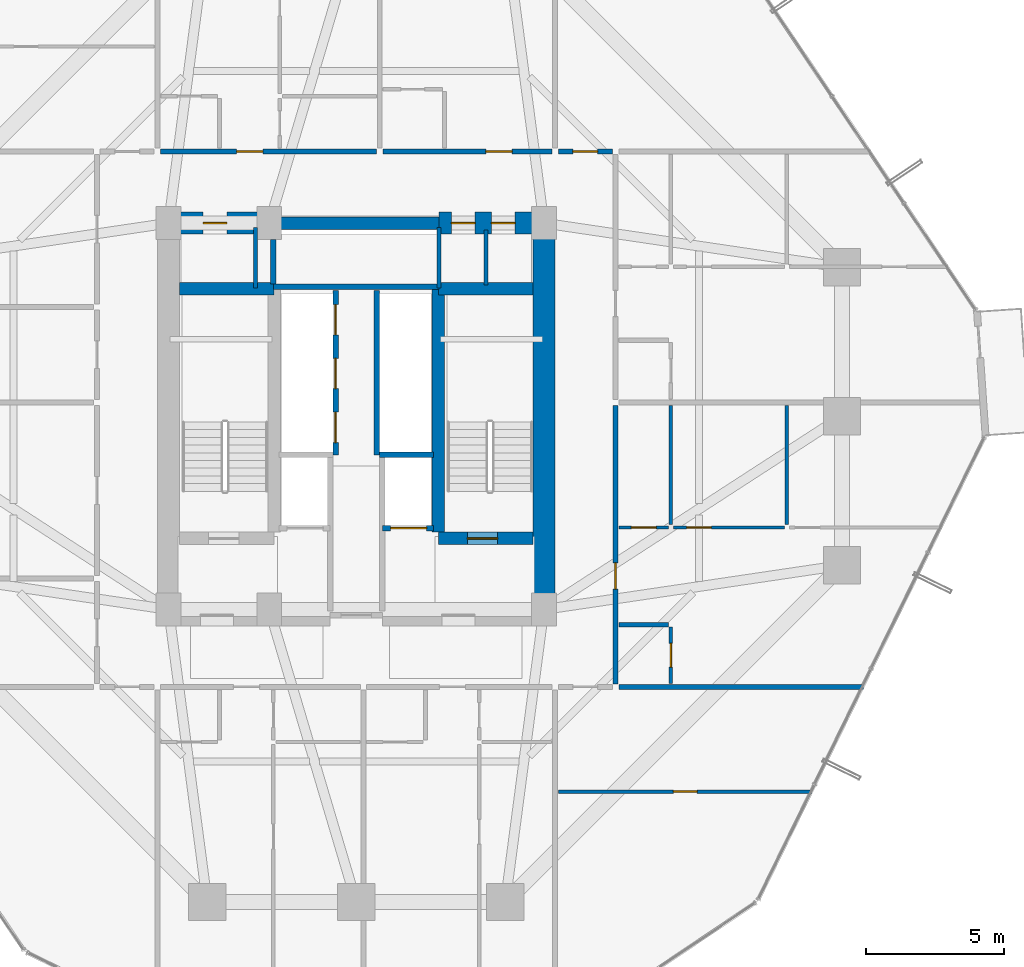
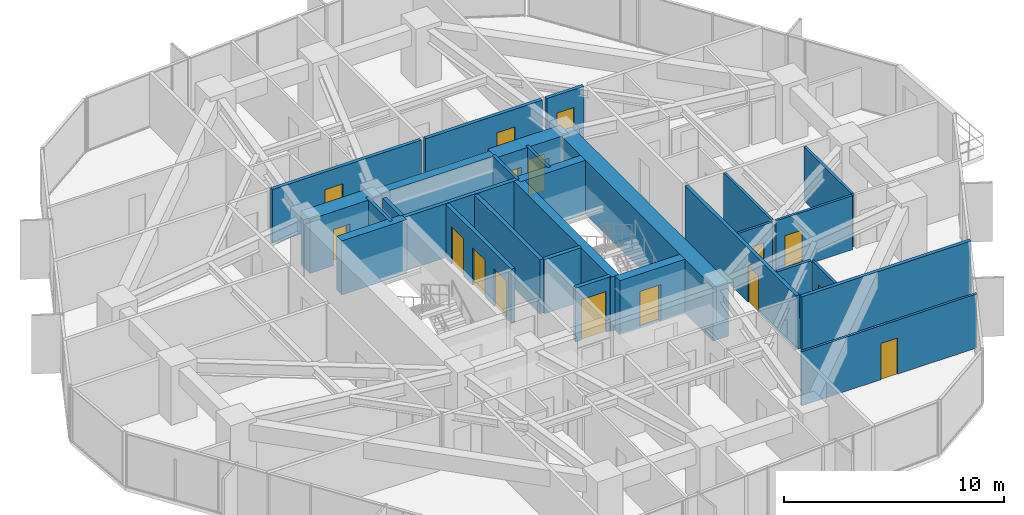
# One storey, part 34 of 37: 29 walls, 16 doors, 16 openings.
"""IFC4 building model written with IfcOpenShell, lengths in metres."""

from ifc_helpers import new_model, si_unit, direction, frame, frame_2d, origin, place, context, subcontext, project, spatial, rectangle, extrude, source, transform, mapped, material, layer, layer_set, type_object, element, fill, save


model = new_model("IFC4")

# Units and contexts
model_context = context("Model", 3, precision=1e-05, world=origin(), true_north=direction((0.0, 1.0)))
body_context = subcontext(model_context, "Body", "Model", "MODEL_VIEW")
ifc_project = project(units=[si_unit("LENGTHUNIT", "METRE"), si_unit("AREAUNIT", "SQUARE_METRE"), si_unit("VOLUMEUNIT", "CUBIC_METRE"), si_unit("PLANEANGLEUNIT", "RADIAN"), si_unit("MASSUNIT", "GRAM", prefix="KILO")], contexts=[model_context])

# Site, building, storey
site_placement = place(None, origin())
site = spatial("IfcSite", under=ifc_project, at=site_placement, CompositionType="ELEMENT")
building_placement = place(site_placement, origin())
building = spatial("IfcBuilding", under=site, at=building_placement, Name="Veraguas Prism Commons", CompositionType="ELEMENT")
storey_placement = place(building_placement, frame((0.0, 0.0, 37.050048828125)))
storey = spatial("IfcBuildingStorey", under=building, at=storey_placement, Name="L09", CompositionType="ELEMENT", Elevation=37.050048828125)

# Wall
ifc_material_1 = material(Name="Concrete C60/75", Category="concrete")
ifc_layer_1 = layer(ifc_material_1, 0.449951171875, Name="Core Internal Shear Wall Lower RC 450", Category="concrete")
ifc_layer_set_1 = layer_set([ifc_layer_1], Name="Concrete C60/75")
wall_type_1 = type_object("IfcWallType", Name="Core Internal Shear Wall Lower RC 450", PredefinedType="SHEAR", material=ifc_layer_set_1)
wall_1_placement = place(storey_placement, frame((21.0, 31.0, 0.0), z_axis=(0.0, 0.0, 1.0), x_axis=(1.0, 0.0, 0.0)))
element("IfcWall", 1, at=wall_1_placement, inside=storey, type_object=wall_type_1, Name="High-Rise Lift Bank Front Shear Wall L09", PredefinedType="SHEAR", context=body_context, shape_type="SweptSolid", body=[
    extrude(rectangle(XDim=6.0, YDim=0.449951171875, at=frame_2d((3.0, 0.0))), origin(), (0.0, 0.0, 1.0), 3.0),
])

# Wall, opening, door
wall_2_placement = place(storey_placement, frame((26.97509765625, 19.574951171875, 0.0), z_axis=(0.0, 0.0, 1.0), x_axis=(1.0, 0.0, 0.0)))
wall_2 = element("IfcWall", 2, at=wall_2_placement, inside=storey, type_object=wall_type_1, Name="Stair ST-02 South Shear Wall L09", PredefinedType="SHEAR", context=body_context, shape_type="SweptSolid", body=[
    extrude(rectangle(XDim=3.4248046875, YDim=0.449951171875, at=frame_2d((1.71240234375, 0.0))), origin(), (0.0, 0.0, 1.0), 3.0),
])
opening_1_placement = place(wall_2_placement, frame((1.050048828125, 0.0, 0.0)))
opening_1 = element("IfcOpeningElement", 3, at=opening_1_placement, cuts=wall_2, Name="Opening DR-05", PredefinedType="OPENING", context=body_context, shape_type="SweptSolid", body=[
    extrude(rectangle(XDim=1.10009765625, YDim=2.030029296875, at=frame_2d((0.550048828125, 1.01513671875))), frame((0.0, 0.23486328125, 0.0), z_axis=(0.0, -1.0, 0.0), x_axis=(1.0, 0.0, 0.0)), (0.0, 0.0, 1.0), 0.469970703125),
])
ifc_material_2 = material(Name="Steel fire-rated door assembly", Category="steel")
door_type_1 = type_object("IfcDoorType", Name="Protected Stair and Refuge Fire Door 1100x2030", OperationType="NOTDEFINED", PredefinedType="DOOR", material=ifc_material_2)
shared_shape_1 = source(origin(), body_context, "Body", "SweptSolid", [
    extrude(rectangle(XDim=1.10009765625, YDim=2.030029296875, at=frame_2d((0.550048828125, 1.01513671875))), frame((0.0, 0.02490234375, 0.0), z_axis=(0.0, -1.0, 0.0), x_axis=(1.0, 0.0, 0.0)), (0.0, 0.0, 1.0), 0.050048828125),
])
door_1_placement = place(opening_1_placement, origin())
door_1 = element("IfcDoor", 4, at=door_1_placement, inside=storey, type_object=door_type_1, Name="Stair ST-02 Enclosure Door L09", OperationType="SINGLE_SWING_RIGHT", OverallHeight=2.030029296875, OverallWidth=1.10009765625, PredefinedType="DOOR", context=body_context, shape_type="MappedRepresentation", body=[
    mapped(shared_shape_1, transform((0.0, 0.0, 0.0), scale=1.0)),
])
fill(opening_1, door_1)

# Walls
wall_3_placement = place(storey_placement, frame((26.97509765625, 19.800048828125, 0.0), z_axis=(0.0, 0.0, 1.0), x_axis=(0.0, 1.0, 0.0)))
element("IfcWall", 5, at=wall_3_placement, inside=storey, type_object=wall_type_1, Name="Stair ST-02 Inner Shear Wall L09", PredefinedType="SHEAR", context=body_context, shape_type="SweptSolid", body=[
    extrude(rectangle(XDim=8.824951171875, YDim=0.449951171875, at=frame_2d((4.41259765625, 0.0))), origin(), (0.0, 0.0, 1.0), 3.0),
])
for number, where, z_axis, x_axis, name in (
    (6, (17.60009765625, 28.625, 0.0), (0.0, 0.0, 1.0), (1.0, 0.0, 0.0), "Stair ST-01 North Shear Wall L09"),
    (7, (26.97509765625, 28.625, 0.0), (0.0, 0.0, 1.0), (1.0, 0.0, 0.0), "Stair ST-02 North Shear Wall L09"),
):
    element("IfcWall", number, at=place(storey_placement, frame(where, z_axis=z_axis, x_axis=x_axis)), inside=storey, type_object=wall_type_1, Name=name, PredefinedType="SHEAR", context=body_context, shape_type="SweptSolid", body=[
        extrude(rectangle(XDim=3.4248046875, YDim=0.449951171875, at=frame_2d((1.71240234375, 0.0))), origin(), (0.0, 0.0, 1.0), 3.0),
    ])
ifc_layer_2 = layer(ifc_material_1, 0.800048828125, Name="Core Outer Shear Wall Lower RC 800", Category="concrete")
ifc_layer_set_2 = layer_set([ifc_layer_2], Name="Concrete C60/75")
wall_type_2 = type_object("IfcWallType", Name="Core Outer Shear Wall Lower RC 800", PredefinedType="SHEAR", material=ifc_layer_set_2)
wall_4_placement = place(storey_placement, frame((30.800048828125, 16.800048828125, 0.0), z_axis=(0.0, 0.0, 1.0), x_axis=(0.0, 1.0, 0.0)))
element("IfcWall", 8, at=wall_4_placement, inside=storey, type_object=wall_type_2, Name="Central Core East Shear Wall L09", PredefinedType="SHEAR", context=body_context, shape_type="SweptSolid", body=[
    extrude(rectangle(XDim=14.199951171875, YDim=0.800048828125, at=frame_2d((7.10009765625, 0.0))), origin(), (0.0, 0.0, 1.0), 3.0),
])

# Wall, opening, door
wall_5_placement = place(storey_placement, frame((17.199951171875, 31.0, 0.0), z_axis=(0.0, 0.0, 1.0), x_axis=(1.0, 0.0, 0.0)))
wall_5 = element("IfcWall", 9, at=wall_5_placement, inside=storey, type_object=wall_type_2, Name="Central Core North-West Shear Wall L09", PredefinedType="SHEAR", context=body_context, shape_type="SweptSolid", body=[
    extrude(rectangle(XDim=3.800048828125, YDim=0.800048828125, at=frame_2d((1.89990234375, 0.0))), origin(), (0.0, 0.0, 1.0), 3.0),
])
opening_2_placement = place(wall_5_placement, frame((1.25, 0.0, 0.0)))
opening_2 = element("IfcOpeningElement", 10, at=opening_2_placement, cuts=wall_5, Name="Opening DR-12", PredefinedType="OPENING", context=body_context, shape_type="SweptSolid", body=[
    extrude(rectangle(XDim=0.860107421875, YDim=2.010009765625, at=frame_2d((0.43017578125, 1.0048828125))), frame((0.0, 0.409912109375, 0.0), z_axis=(0.0, -1.0, 0.0), x_axis=(1.0, 0.0, 0.0)), (0.0, 0.0, 1.0), 0.820068359375),
])
door_type_2 = type_object("IfcDoorType", Name="Core WC Fire Door 860x2010", OperationType="NOTDEFINED", PredefinedType="DOOR", material=ifc_material_2)
shared_shape_2 = source(origin(), body_context, "Body", "SweptSolid", [
    extrude(rectangle(XDim=0.860107421875, YDim=2.010009765625, at=frame_2d((0.43017578125, 1.0048828125))), frame((0.0, 0.02490234375, 0.0), z_axis=(0.0, -1.0, 0.0), x_axis=(1.0, 0.0, 0.0)), (0.0, 0.0, 1.0), 0.050048828125),
])
door_2_placement = place(opening_2_placement, origin())
door_2 = element("IfcDoor", 11, at=door_2_placement, inside=storey, type_object=door_type_2, Name="Core NW Service Door L09", OperationType="SINGLE_SWING_RIGHT", OverallHeight=2.010009765625, OverallWidth=0.860107421875, PredefinedType="DOOR", context=body_context, shape_type="MappedRepresentation", body=[
    mapped(shared_shape_2, transform((0.0, 0.0, 0.0), scale=1.0)),
])
fill(opening_2, door_2)

# Wall, openings, doors
wall_6_placement = place(storey_placement, frame((27.0, 31.0, 0.0), z_axis=(0.0, 0.0, 1.0), x_axis=(1.0, 0.0, 0.0)))
wall_6 = element("IfcWall", 12, at=wall_6_placement, inside=storey, type_object=wall_type_2, Name="Central Core North-East Shear Wall L09", PredefinedType="SHEAR", context=body_context, shape_type="SweptSolid", body=[
    extrude(rectangle(XDim=3.800048828125, YDim=0.800048828125, at=frame_2d((1.89990234375, 0.0))), origin(), (0.0, 0.0, 1.0), 3.0),
])
opening_3_placement = place(wall_6_placement, frame((0.449951171875, 0.0, 0.0)))
opening_3 = element("IfcOpeningElement", 13, at=opening_3_placement, cuts=wall_6, Name="Opening DR-12", PredefinedType="OPENING", context=body_context, shape_type="SweptSolid", body=[
    extrude(rectangle(XDim=0.860107421875, YDim=2.010009765625, at=frame_2d((0.43017578125, 1.0048828125))), frame((0.0, 0.409912109375, 0.0), z_axis=(0.0, -1.0, 0.0), x_axis=(1.0, 0.0, 0.0)), (0.0, 0.0, 1.0), 0.820068359375),
])
opening_4_placement = place(wall_6_placement, frame((1.89990234375, 0.0, 0.0)))
opening_4 = element("IfcOpeningElement", 14, at=opening_4_placement, cuts=wall_6, Name="Opening DR-12", PredefinedType="OPENING", context=body_context, shape_type="SweptSolid", body=[
    extrude(rectangle(XDim=0.860107421875, YDim=2.010009765625, at=frame_2d((0.43017578125, 1.0048828125))), frame((0.0, 0.409912109375, 0.0), z_axis=(0.0, -1.0, 0.0), x_axis=(1.0, 0.0, 0.0)), (0.0, 0.0, 1.0), 0.820068359375),
])
door_3_placement = place(opening_3_placement, origin())
door_3 = element("IfcDoor", 15, at=door_3_placement, inside=storey, type_object=door_type_2, Name="Core NE Room A Door L09", OperationType="SINGLE_SWING_LEFT", OverallHeight=2.010009765625, OverallWidth=0.860107421875, PredefinedType="DOOR", context=body_context, shape_type="MappedRepresentation", body=[
    mapped(shared_shape_2, transform((0.0, 0.0, 0.0), scale=1.0)),
])
fill(opening_3, door_3)
door_4_placement = place(opening_4_placement, origin())
door_4 = element("IfcDoor", 16, at=door_4_placement, inside=storey, type_object=door_type_2, Name="Core NE Room B Door L09", OperationType="SINGLE_SWING_RIGHT", OverallHeight=2.010009765625, OverallWidth=0.860107421875, PredefinedType="DOOR", context=body_context, shape_type="MappedRepresentation", body=[
    mapped(shared_shape_2, transform((0.0, 0.0, 0.0), scale=1.0)),
])
fill(opening_4, door_4)

# Wall, opening, door
ifc_material_3 = material(Name="Autoclaved aerated masonry block 10 MPa", Category="masonry")
ifc_layer_3 = layer(ifc_material_3, 0.179931640625, Name="Corridor and Inter-Tenancy Partition 180", Category="masonry")
ifc_layer_set_3 = layer_set([ifc_layer_3], Name="Autoclaved aerated masonry block 10 MPa")
wall_type_3 = type_object("IfcWallType", Name="Corridor and Inter-Tenancy Partition 180", PredefinedType="PARTITIONING", material=ifc_layer_set_3)
wall_7_placement = place(storey_placement, frame((16.909912109375, 33.60009765625, 0.0), z_axis=(0.0, 0.0, 1.0), x_axis=(1.0, 0.0, 0.0)))
wall_7 = element("IfcWall", 17, at=wall_7_placement, inside=storey, type_object=wall_type_3, Name="WL-L09-PT018", PredefinedType="PARTITIONING", context=body_context, shape_type="SweptSolid", body=[
    extrude(rectangle(XDim=7.83203125, YDim=0.179931640625, at=frame_2d((3.916015625, 0.0))), origin(), (0.0, 0.0, 1.0), 3.0),
])
opening_5_placement = place(wall_7_placement, frame((2.75439453125, 0.0, 0.0)))
opening_5 = element("IfcOpeningElement", 18, at=opening_5_placement, cuts=wall_7, Name="Opening DR-01", PredefinedType="OPENING", context=body_context, shape_type="SweptSolid", body=[
    extrude(rectangle(XDim=0.949951171875, YDim=2.02001953125, at=frame_2d((0.47509765625, 1.010009765625))), frame((0.0, 0.099853515625, 0.0), z_axis=(0.0, -1.0, 0.0), x_axis=(1.0, 0.0, 0.0)), (0.0, 0.0, 1.0), 0.199951171875),
])
ifc_material_4 = material(Name="Anodised aluminium EN AW-6063 T6", Category="aluminium")
door_type_3 = type_object("IfcDoorType", Name="Apartment Entrance Fire Door 950x2020", OperationType="NOTDEFINED", PredefinedType="DOOR", material=ifc_material_4)
shared_shape_3 = source(origin(), body_context, "Body", "SweptSolid", [
    extrude(rectangle(XDim=0.949951171875, YDim=2.02001953125, at=frame_2d((0.47509765625, 1.010009765625))), frame((0.0, 0.02490234375, 0.0), z_axis=(0.0, -1.0, 0.0), x_axis=(1.0, 0.0, 0.0)), (0.0, 0.0, 1.0), 0.050048828125),
])
door_5_placement = place(opening_5_placement, origin())
door_5 = element("IfcDoor", 19, at=door_5_placement, inside=storey, type_object=door_type_3, Name="Flat 09C Entrance Door", OperationType="SINGLE_SWING_LEFT", OverallHeight=2.02001953125, OverallWidth=0.949951171875, PredefinedType="DOOR", context=body_context, shape_type="MappedRepresentation", body=[
    mapped(shared_shape_3, transform((0.0, 0.0, 0.0), scale=1.0)),
])
fill(opening_5, door_5)

wall_8_placement = place(storey_placement, frame((24.9619140625, 33.60009765625, 0.0), z_axis=(0.0, 0.0, 1.0), x_axis=(1.0, 0.0, 0.0)))
wall_8 = element("IfcWall", 20, at=wall_8_placement, inside=storey, type_object=wall_type_3, Name="WL-L09-PT025", PredefinedType="PARTITIONING", context=body_context, shape_type="SweptSolid", body=[
    extrude(rectangle(XDim=6.128173828125, YDim=0.179931640625, at=frame_2d((3.06396484375, 0.0))), origin(), (0.0, 0.0, 1.0), 3.0),
])
opening_6_placement = place(wall_8_placement, frame((3.735595703125, 0.0, 0.0)))
opening_6 = element("IfcOpeningElement", 21, at=opening_6_placement, cuts=wall_8, Name="Opening DR-01", PredefinedType="OPENING", context=body_context, shape_type="SweptSolid", body=[
    extrude(rectangle(XDim=0.949951171875, YDim=2.02001953125, at=frame_2d((0.47509765625, 1.010009765625))), frame((0.0, 0.099853515625, 0.0), z_axis=(0.0, -1.0, 0.0), x_axis=(1.0, 0.0, 0.0)), (0.0, 0.0, 1.0), 0.199951171875),
])
door_6_placement = place(opening_6_placement, origin())
door_6 = element("IfcDoor", 22, at=door_6_placement, inside=storey, type_object=door_type_3, Name="Studio 09D Entrance Door", OperationType="SINGLE_SWING_LEFT", OverallHeight=2.02001953125, OverallWidth=0.949951171875, PredefinedType="DOOR", context=body_context, shape_type="MappedRepresentation", body=[
    mapped(shared_shape_3, transform((0.0, 0.0, 0.0), scale=1.0)),
])
fill(opening_6, door_6)

# Wall
wall_9_placement = place(storey_placement, frame((33.52001953125, 14.199951171875, 0.0), z_axis=(0.0, 0.0, 1.0), x_axis=(1.0, 0.0, 0.0)))
element("IfcWall", 23, at=wall_9_placement, inside=storey, type_object=wall_type_3, Name="WL-L09-PT037", PredefinedType="PARTITIONING", context=body_context, shape_type="SweptSolid", body=[
    extrude(rectangle(XDim=8.857421875, YDim=0.179931640625, at=frame_2d((4.4287109375, 0.0))), origin(), (0.0, 0.0, 1.0), 3.0),
])

# Wall, opening, door
wall_10_placement = place(storey_placement, frame((33.39990234375, 14.31005859375, 0.0), z_axis=(0.0, 0.0, 1.0), x_axis=(0.0, 1.0, 0.0)))
wall_10 = element("IfcWall", 24, at=wall_10_placement, inside=storey, type_object=wall_type_3, Name="WL-L09-PT039", PredefinedType="PARTITIONING", context=body_context, shape_type="SweptSolid", body=[
    extrude(rectangle(XDim=10.087890625, YDim=0.179931640625, at=frame_2d((5.0439453125, 0.0))), origin(), (0.0, 0.0, 1.0), 3.0),
])
opening_7_placement = place(wall_10_placement, frame((3.426025390625, 0.0, 0.0)))
opening_7 = element("IfcOpeningElement", 25, at=opening_7_placement, cuts=wall_10, Name="Opening DR-01", PredefinedType="OPENING", context=body_context, shape_type="SweptSolid", body=[
    extrude(rectangle(XDim=0.949951171875, YDim=2.02001953125, at=frame_2d((0.47509765625, 1.010009765625))), frame((0.0, 0.099853515625, 0.0), z_axis=(0.0, -1.0, 0.0), x_axis=(1.0, 0.0, 0.0)), (0.0, 0.0, 1.0), 0.199951171875),
])
door_7_placement = place(opening_7_placement, origin())
door_7 = element("IfcDoor", 26, at=door_7_placement, inside=storey, type_object=door_type_3, Name="Flat 09E Entrance Door", OperationType="SINGLE_SWING_LEFT", OverallHeight=2.02001953125, OverallWidth=0.949951171875, PredefinedType="DOOR", context=body_context, shape_type="MappedRepresentation", body=[
    mapped(shared_shape_3, transform((0.0, 0.0, 0.0), scale=1.0)),
])
fill(opening_7, door_7)

wall_11_placement = place(storey_placement, frame((31.320068359375, 33.60009765625, 0.0), z_axis=(0.0, 0.0, 1.0), x_axis=(1.0, 0.0, 0.0)))
wall_11 = element("IfcWall", 27, at=wall_11_placement, inside=storey, type_object=wall_type_3, Name="WL-L09-PT061", PredefinedType="PARTITIONING", context=body_context, shape_type="SweptSolid", body=[
    extrude(rectangle(XDim=1.9599609375, YDim=0.179931640625, at=frame_2d((0.97998046875, 0.0))), origin(), (0.0, 0.0, 1.0), 3.0),
])
opening_8_placement = place(wall_11_placement, frame((0.530029296875, 0.0, 0.0)))
opening_8 = element("IfcOpeningElement", 28, at=opening_8_placement, cuts=wall_11, Name="Opening DR-14", PredefinedType="OPENING", context=body_context, shape_type="SweptSolid", body=[
    extrude(rectangle(XDim=0.89990234375, YDim=2.010009765625, at=frame_2d((0.449951171875, 1.0048828125))), frame((0.0, 0.099853515625, 0.0), z_axis=(0.0, -1.0, 0.0), x_axis=(1.0, 0.0, 0.0)), (0.0, 0.0, 1.0), 0.199951171875),
])
door_type_4 = type_object("IfcDoorType", Name="Core Service Room Fire Door 900x2010", OperationType="NOTDEFINED", PredefinedType="DOOR", material=ifc_material_2)
shared_shape_4 = source(origin(), body_context, "Body", "SweptSolid", [
    extrude(rectangle(XDim=0.89990234375, YDim=2.010009765625, at=frame_2d((0.449951171875, 1.0048828125))), frame((0.0, 0.02490234375, 0.0), z_axis=(0.0, -1.0, 0.0), x_axis=(1.0, 0.0, 0.0)), (0.0, 0.0, 1.0), 0.050048828125),
])
door_8_placement = place(opening_8_placement, origin())
door_8 = element("IfcDoor", 29, at=door_8_placement, inside=storey, type_object=door_type_4, Name="Residents Cycle and Pram Store NE Door", OperationType="SINGLE_SWING_RIGHT", OverallHeight=2.010009765625, OverallWidth=0.89990234375, PredefinedType="DOOR", context=body_context, shape_type="MappedRepresentation", body=[
    mapped(shared_shape_4, transform((0.0, 0.0, 0.0), scale=1.0)),
])
fill(opening_8, door_8)

ifc_material_5 = material(Name="Lightweight acoustic gypsum board")
ifc_layer_4 = layer(ifc_material_5, 0.125, Name="Internal Apartment Room Partition 125")
ifc_layer_set_4 = layer_set([ifc_layer_4], Name="Lightweight acoustic gypsum board")
wall_type_4 = type_object("IfcWallType", Name="Internal Apartment Room Partition 125", PredefinedType="PARTITIONING", material=ifc_layer_set_4)
wall_12_placement = place(storey_placement, frame((35.39990234375, 14.320068359375, 0.0), z_axis=(0.0, 0.0, 1.0), x_axis=(0.0, 1.0, 0.0)))
wall_12 = element("IfcWall", 30, at=wall_12_placement, inside=storey, type_object=wall_type_4, Name="WL-L09-PT041", PredefinedType="PARTITIONING", context=body_context, shape_type="SweptSolid", body=[
    extrude(rectangle(XDim=2.050048828125, YDim=0.125, at=frame_2d((1.02490234375, 0.0))), origin(), (0.0, 0.0, 1.0), 3.0),
])
opening_9_placement = place(wall_12_placement, frame((0.594970703125, 0.0, 0.0)))
opening_9 = element("IfcOpeningElement", 31, at=opening_9_placement, cuts=wall_12, Name="Opening DR-03", PredefinedType="OPENING", context=body_context, shape_type="SweptSolid", body=[
    extrude(rectangle(XDim=0.860107421875, YDim=2.010009765625, at=frame_2d((0.43017578125, 1.0048828125))), frame((0.0, 0.072509765625, 0.0), z_axis=(0.0, -1.0, 0.0), x_axis=(1.0, 0.0, 0.0)), (0.0, 0.0, 1.0), 0.14501953125),
])
ifc_material_6 = material(Name="Timber moisture-resistant leaf", Category="wood")
door_type_5 = type_object("IfcDoorType", Name="Internal Bathroom Door 860x2010", OperationType="NOTDEFINED", PredefinedType="DOOR", material=ifc_material_6)
door_9_placement = place(opening_9_placement, origin())
door_9 = element("IfcDoor", 32, at=door_9_placement, inside=storey, type_object=door_type_5, Name="Flat 09E Bathroom Door", OperationType="SINGLE_SWING_RIGHT", OverallHeight=2.010009765625, OverallWidth=0.860107421875, PredefinedType="DOOR", context=body_context, shape_type="MappedRepresentation", body=[
    mapped(shared_shape_2, transform((0.0, 0.0, 0.0), scale=1.0)),
])
fill(opening_9, door_9)

wall_13_placement = place(storey_placement, frame((33.52001953125, 19.971923828125, 0.0), z_axis=(0.0, 0.0, 1.0), x_axis=(1.0, 0.0, 0.0)))
wall_13 = element("IfcWall", 33, at=wall_13_placement, inside=storey, type_object=wall_type_4, Name="WL-L09-PT042", PredefinedType="PARTITIONING", context=body_context, shape_type="SweptSolid", body=[
    extrude(rectangle(XDim=1.800048828125, YDim=0.125, at=frame_2d((0.89990234375, 0.0))), origin(), (0.0, 0.0, 1.0), 3.0),
])
opening_10_placement = place(wall_13_placement, frame((0.449951171875, 0.0, 0.0)))
opening_10 = element("IfcOpeningElement", 34, at=opening_10_placement, cuts=wall_13, Name="Opening DR-02", PredefinedType="OPENING", context=body_context, shape_type="SweptSolid", body=[
    extrude(rectangle(XDim=0.89990234375, YDim=2.010009765625, at=frame_2d((0.449951171875, 1.0048828125))), frame((0.0, 0.072509765625, 0.0), z_axis=(0.0, -1.0, 0.0), x_axis=(1.0, 0.0, 0.0)), (0.0, 0.0, 1.0), 0.14501953125),
])
ifc_material_7 = material(Name="Timber solid core hardwood", Category="wood")
door_type_6 = type_object("IfcDoorType", Name="Internal Habitable Room Door 900x2010", OperationType="NOTDEFINED", PredefinedType="DOOR", material=ifc_material_7)
door_10_placement = place(opening_10_placement, origin())
door_10 = element("IfcDoor", 35, at=door_10_placement, inside=storey, type_object=door_type_6, Name="Flat 09E Kitchen Door", OperationType="SINGLE_SWING_LEFT", OverallHeight=2.010009765625, OverallWidth=0.89990234375, PredefinedType="DOOR", context=body_context, shape_type="MappedRepresentation", body=[
    mapped(shared_shape_4, transform((0.0, 0.0, 0.0), scale=1.0)),
])
fill(opening_10, door_10)

# Walls
for number, where, z_axis, x_axis, name in (
    (36, (35.39990234375, 20.072021484375, 0.0), (0.0, 0.0, 1.0), (0.0, 1.0, 0.0), "WL-L09-PT043"),
    (37, (39.60009765625, 20.072021484375, 0.0), (0.0, 0.0, 1.0), (0.0, 1.0, 0.0), "WL-L09-PT044"),
):
    element("IfcWall", number, at=place(storey_placement, frame(where, z_axis=z_axis, x_axis=x_axis)), inside=storey, type_object=wall_type_4, Name=name, PredefinedType="PARTITIONING", context=body_context, shape_type="SweptSolid", body=[
        extrude(rectangle(XDim=4.31591796875, YDim=0.125, at=frame_2d((2.157958984375, 0.0))), origin(), (0.0, 0.0, 1.0), 3.0),
    ])

# Wall, opening, door
wall_14_placement = place(storey_placement, frame((35.5, 19.971923828125, 0.0), z_axis=(0.0, 0.0, 1.0), x_axis=(1.0, 0.0, 0.0)))
wall_14 = element("IfcWall", 38, at=wall_14_placement, inside=storey, type_object=wall_type_4, Name="WL-L09-PT045", PredefinedType="PARTITIONING", context=body_context, shape_type="SweptSolid", body=[
    extrude(rectangle(XDim=4.02001953125, YDim=0.125, at=frame_2d((2.010009765625, 0.0))), origin(), (0.0, 0.0, 1.0), 3.0),
])
opening_11_placement = place(wall_14_placement, frame((0.471923828125, 0.0, 0.0)))
opening_11 = element("IfcOpeningElement", 39, at=opening_11_placement, cuts=wall_14, Name="Opening DR-02", PredefinedType="OPENING", context=body_context, shape_type="SweptSolid", body=[
    extrude(rectangle(XDim=0.89990234375, YDim=2.010009765625, at=frame_2d((0.449951171875, 1.0048828125))), frame((0.0, 0.072509765625, 0.0), z_axis=(0.0, -1.0, 0.0), x_axis=(1.0, 0.0, 0.0)), (0.0, 0.0, 1.0), 0.14501953125),
])
door_11_placement = place(opening_11_placement, origin())
door_11 = element("IfcDoor", 40, at=door_11_placement, inside=storey, type_object=door_type_6, Name="Flat 09E Bedroom 1 Door", OperationType="SINGLE_SWING_RIGHT", OverallHeight=2.010009765625, OverallWidth=0.89990234375, PredefinedType="DOOR", context=body_context, shape_type="MappedRepresentation", body=[
    mapped(shared_shape_4, transform((0.0, 0.0, 0.0), scale=1.0)),
])
fill(opening_11, door_11)

wall_15_placement = place(storey_placement, frame((31.320068359375, 10.39990234375, 0.0), z_axis=(0.0, 0.0, 1.0), x_axis=(1.0, 0.0, 0.0)))
wall_15 = element("IfcWall", 41, at=wall_15_placement, inside=storey, type_object=wall_type_4, Name="WL-L09-PT058", PredefinedType="PARTITIONING", context=body_context, shape_type="SweptSolid", body=[
    extrude(rectangle(XDim=9.197509765625, YDim=0.125, at=frame_2d((4.5986328125, 0.0))), origin(), (0.0, 0.0, 1.0), 3.0),
])
opening_12_placement = place(wall_15_placement, frame((4.168701171875, 0.0, 0.0)))
opening_12 = element("IfcOpeningElement", 42, at=opening_12_placement, cuts=wall_15, Name="Opening DR-03", PredefinedType="OPENING", context=body_context, shape_type="SweptSolid", body=[
    extrude(rectangle(XDim=0.860107421875, YDim=2.010009765625, at=frame_2d((0.43017578125, 1.0048828125))), frame((0.0, 0.072509765625, 0.0), z_axis=(0.0, -1.0, 0.0), x_axis=(1.0, 0.0, 0.0)), (0.0, 0.0, 1.0), 0.14501953125),
])
door_12_placement = place(opening_12_placement, origin())
door_12 = element("IfcDoor", 43, at=door_12_placement, inside=storey, type_object=door_type_5, Name="Corner Store SE Door", OperationType="SINGLE_SWING_LEFT", OverallHeight=2.010009765625, OverallWidth=0.860107421875, PredefinedType="DOOR", context=body_context, shape_type="MappedRepresentation", body=[
    mapped(shared_shape_2, transform((0.0, 0.0, 0.0), scale=1.0)),
])
fill(opening_12, door_12)

ifc_layer_5 = layer(ifc_material_3, 0.199951171875, Name="Rated Shaft and Lobby Block Wall 200", Category="masonry")
ifc_layer_set_5 = layer_set([ifc_layer_5], Name="Autoclaved aerated masonry block 10 MPa")
wall_type_5 = type_object("IfcWallType", Name="Rated Shaft and Lobby Block Wall 200", PredefinedType="SOLIDWALL", material=ifc_layer_set_5)
wall_16_placement = place(storey_placement, frame((24.949951171875, 19.949951171875, 0.0), z_axis=(0.0, 0.0, 1.0), x_axis=(1.0, 0.0, 0.0)))
wall_16 = element("IfcWall", 44, at=wall_16_placement, inside=storey, type_object=wall_type_5, Name="Firefighting Lift FFL-2 Front Wall L09", PredefinedType="SOLIDWALL", context=body_context, shape_type="SweptSolid", body=[
    extrude(rectangle(XDim=1.85009765625, YDim=0.199951171875, at=frame_2d((0.925048828125, 0.0))), origin(), (0.0, 0.0, 1.0), 3.0),
])
opening_13_placement = place(wall_16_placement, frame((0.300048828125, 0.0, 0.0)))
opening_13 = element("IfcOpeningElement", 45, at=opening_13_placement, cuts=wall_16, Name="Opening LD-02", PredefinedType="OPENING", context=body_context, shape_type="SweptSolid", body=[
    extrude(rectangle(XDim=1.300048828125, YDim=2.25, at=frame_2d((0.64990234375, 1.125))), frame((0.0, 0.10986328125, 0.0), z_axis=(0.0, -1.0, 0.0), x_axis=(1.0, 0.0, 0.0)), (0.0, 0.0, 1.0), 0.219970703125),
])
ifc_material_8 = material(Name="Stainless steel AISI 316", Category="steel")
door_type_7 = type_object("IfcDoorType", Name="Firefighting Lift Sliding Landing Door 1300x2250", OperationType="NOTDEFINED", PredefinedType="DOOR", material=ifc_material_8)
shared_shape_5 = source(origin(), body_context, "Body", "SweptSolid", [
    extrude(rectangle(XDim=1.300048828125, YDim=2.25, at=frame_2d((0.64990234375, 1.125))), frame((0.0, 0.02490234375, 0.0), z_axis=(0.0, -1.0, 0.0), x_axis=(1.0, 0.0, 0.0)), (0.0, 0.0, 1.0), 0.050048828125),
])
door_13_placement = place(opening_13_placement, origin())
door_13 = element("IfcDoor", 46, at=door_13_placement, inside=storey, type_object=door_type_7, Name="Firefighting Lift FFL-2 Front Wall L09", OperationType="SLIDING_TO_LEFT", OverallHeight=2.25, OverallWidth=1.300048828125, PredefinedType="DOOR", context=body_context, shape_type="MappedRepresentation", body=[
    mapped(shared_shape_5, transform((0.0, 0.0, 0.0), scale=1.0)),
])
fill(opening_13, door_13)

# Walls
wall_17_placement = place(storey_placement, frame((24.85009765625, 22.60009765625, 0.0), z_axis=(0.0, 0.0, 1.0), x_axis=(1.0, 0.0, 0.0)))
element("IfcWall", 47, at=wall_17_placement, inside=storey, type_object=wall_type_5, Name="Firefighting Lift FFL-2 Rear Wall L09", PredefinedType="SOLIDWALL", context=body_context, shape_type="SweptSolid", body=[
    extrude(rectangle(XDim=1.949951171875, YDim=0.199951171875, at=frame_2d((0.97509765625, 0.0))), origin(), (0.0, 0.0, 1.0), 3.0),
])
wall_18_placement = place(storey_placement, frame((21.0, 28.699951171875, 0.0), z_axis=(0.0, 0.0, 1.0), x_axis=(1.0, 0.0, 0.0)))
element("IfcWall", 48, at=wall_18_placement, inside=storey, type_object=wall_type_5, Name="High-Rise Lift Bank Rear Shaft Wall L09", PredefinedType="SOLIDWALL", context=body_context, shape_type="SweptSolid", body=[
    extrude(rectangle(XDim=6.0, YDim=0.199951171875, at=frame_2d((3.0, 0.0))), origin(), (0.0, 0.0, 1.0), 3.0),
])
wall_19_placement = place(storey_placement, frame((21.0, 28.800048828125, 0.0), z_axis=(0.0, 0.0, 1.0), x_axis=(0.0, 1.0, 0.0)))
element("IfcWall", 49, at=wall_19_placement, inside=storey, type_object=wall_type_5, Name="High-Rise Lift Bank West Shaft Wall L09", PredefinedType="SOLIDWALL", context=body_context, shape_type="SweptSolid", body=[
    extrude(rectangle(XDim=1.599853515625, YDim=0.199951171875, at=frame_2d((0.7998046875, 0.0))), origin(), (0.0, 0.0, 1.0), 3.0),
])

# Wall, openings, doors
wall_20_placement = place(storey_placement, frame((23.25, 22.60009765625, 0.0), z_axis=(0.0, 0.0, 1.0), x_axis=(0.0, 1.0, 0.0)))
wall_20 = element("IfcWall", 50, at=wall_20_placement, inside=storey, type_object=wall_type_5, Name="Low-Rise Lift Bank Front Wall L09", PredefinedType="SOLIDWALL", context=body_context, shape_type="SweptSolid", body=[
    extrude(rectangle(XDim=5.949951171875, YDim=0.199951171875, at=frame_2d((2.97509765625, 0.0))), origin(), (0.0, 0.0, 1.0), 3.0),
])
opening_14_placement = place(wall_20_placement, frame((0.449951171875, 0.0, 0.0)))
opening_14 = element("IfcOpeningElement", 51, at=opening_14_placement, cuts=wall_20, Name="Opening LD-01", PredefinedType="OPENING", context=body_context, shape_type="SweptSolid", body=[
    extrude(rectangle(XDim=1.10009765625, YDim=2.080078125, at=frame_2d((0.550048828125, 1.0400390625))), frame((0.0, 0.10986328125, 0.0), z_axis=(0.0, -1.0, 0.0), x_axis=(1.0, 0.0, 0.0)), (0.0, 0.0, 1.0), 0.219970703125),
])
opening_15_placement = place(wall_20_placement, frame((2.39990234375, 0.0, 0.0)))
opening_15 = element("IfcOpeningElement", 52, at=opening_15_placement, cuts=wall_20, Name="Opening LD-01", PredefinedType="OPENING", context=body_context, shape_type="SweptSolid", body=[
    extrude(rectangle(XDim=1.10009765625, YDim=2.080078125, at=frame_2d((0.550048828125, 1.0400390625))), frame((0.0, 0.10986328125, 0.0), z_axis=(0.0, -1.0, 0.0), x_axis=(1.0, 0.0, 0.0)), (0.0, 0.0, 1.0), 0.219970703125),
])
opening_16_placement = place(wall_20_placement, frame((4.35009765625, 0.0, 0.0)))
opening_16 = element("IfcOpeningElement", 53, at=opening_16_placement, cuts=wall_20, Name="Opening LD-01", PredefinedType="OPENING", context=body_context, shape_type="SweptSolid", body=[
    extrude(rectangle(XDim=1.10009765625, YDim=2.080078125, at=frame_2d((0.550048828125, 1.0400390625))), frame((0.0, 0.10986328125, 0.0), z_axis=(0.0, -1.0, 0.0), x_axis=(1.0, 0.0, 0.0)), (0.0, 0.0, 1.0), 0.219970703125),
])
door_type_8 = type_object("IfcDoorType", Name="Passenger Lift Sliding Landing Door 1100x2080", OperationType="NOTDEFINED", PredefinedType="DOOR", material=ifc_material_8)
shared_shape_6 = source(origin(), body_context, "Body", "SweptSolid", [
    extrude(rectangle(XDim=1.10009765625, YDim=2.080078125, at=frame_2d((0.550048828125, 1.0400390625))), frame((0.0, 0.02490234375, 0.0), z_axis=(0.0, -1.0, 0.0), x_axis=(1.0, 0.0, 0.0)), (0.0, 0.0, 1.0), 0.050048828125),
])
door_14_placement = place(opening_14_placement, origin())
door_14 = element("IfcDoor", 54, at=door_14_placement, inside=storey, type_object=door_type_8, Name="Sliding Landing Door PL-L1 L09", OperationType="SLIDING_TO_LEFT", OverallHeight=2.080078125, OverallWidth=1.10009765625, PredefinedType="DOOR", context=body_context, shape_type="MappedRepresentation", body=[
    mapped(shared_shape_6, transform((0.0, 0.0, 0.0), scale=1.0)),
])
fill(opening_14, door_14)
door_15_placement = place(opening_15_placement, origin())
door_15 = element("IfcDoor", 55, at=door_15_placement, inside=storey, type_object=door_type_8, Name="Sliding Landing Door PL-L2 L09", OperationType="SLIDING_TO_LEFT", OverallHeight=2.080078125, OverallWidth=1.10009765625, PredefinedType="DOOR", context=body_context, shape_type="MappedRepresentation", body=[
    mapped(shared_shape_6, transform((0.0, 0.0, 0.0), scale=1.0)),
])
fill(opening_15, door_15)
door_16_placement = place(opening_16_placement, origin())
door_16 = element("IfcDoor", 56, at=door_16_placement, inside=storey, type_object=door_type_8, Name="Sliding Landing Door PL-L3 L09", OperationType="SLIDING_TO_LEFT", OverallHeight=2.080078125, OverallWidth=1.10009765625, PredefinedType="DOOR", context=body_context, shape_type="MappedRepresentation", body=[
    mapped(shared_shape_6, transform((0.0, 0.0, 0.0), scale=1.0)),
])
fill(opening_16, door_16)

# Walls
wall_21_placement = place(storey_placement, frame((24.75, 22.60009765625, 0.0), z_axis=(0.0, 0.0, 1.0), x_axis=(0.0, 1.0, 0.0)))
element("IfcWall", 57, at=wall_21_placement, inside=storey, type_object=wall_type_5, Name="Mid-Rise Lift Bank Front Wall L09", PredefinedType="SOLIDWALL", context=body_context, shape_type="SweptSolid", body=[
    extrude(rectangle(XDim=5.949951171875, YDim=0.199951171875, at=frame_2d((2.97509765625, 0.0))), origin(), (0.0, 0.0, 1.0), 3.0),
])
ifc_layer_6 = layer(ifc_material_5, 0.14990234375, Name="Wet Room and Clinic Acoustic Partition 150")
ifc_layer_set_6 = layer_set([ifc_layer_6], Name="Lightweight acoustic gypsum board")
wall_type_6 = type_object("IfcWallType", Name="Wet Room and Clinic Acoustic Partition 150", PredefinedType="PARTITIONING", material=ifc_layer_set_6)
for number, where, z_axis, x_axis, name in (
    (58, (20.35009765625, 28.64990234375, 0.0), (0.0, 0.0, 1.0), (0.0, 1.0, 0.0), "Core NW Service Inner Wall L09"),
    (59, (27.0, 28.64990234375, 0.0), (0.0, 0.0, 1.0), (0.0, 1.0, 0.0), "Core NE Service Inner Wall L09"),
):
    element("IfcWall", number, at=place(storey_placement, frame(where, z_axis=z_axis, x_axis=x_axis)), inside=storey, type_object=wall_type_6, Name=name, PredefinedType="PARTITIONING", context=body_context, shape_type="SweptSolid", body=[
        extrude(rectangle(XDim=2.2001953125, YDim=0.14990234375, at=frame_2d((1.10009765625, 0.0))), origin(), (0.0, 0.0, 1.0), 3.0),
    ])
wall_22_placement = place(storey_placement, frame((28.699951171875, 28.75, 0.0), z_axis=(0.0, 0.0, 1.0), x_axis=(0.0, 1.0, 0.0)))
element("IfcWall", 60, at=wall_22_placement, inside=storey, type_object=wall_type_6, Name="WL-L09-CSVD1", PredefinedType="PARTITIONING", context=body_context, shape_type="SweptSolid", body=[
    extrude(rectangle(XDim=2.0, YDim=0.14990234375, at=frame_2d((1.0, 0.0))), origin(), (0.0, 0.0, 1.0), 3.0),
])
wall_23_placement = place(storey_placement, frame((33.52001953125, 16.449951171875, 0.0), z_axis=(0.0, 0.0, 1.0), x_axis=(1.0, 0.0, 0.0)))
element("IfcWall", 61, at=wall_23_placement, inside=storey, type_object=wall_type_6, Name="WL-L09-PT040", PredefinedType="PARTITIONING", context=body_context, shape_type="SweptSolid", body=[
    extrude(rectangle(XDim=1.800048828125, YDim=0.14990234375, at=frame_2d((0.89990234375, 0.0))), origin(), (0.0, 0.0, 1.0), 3.0),
])

save(model, "model.ifc")
